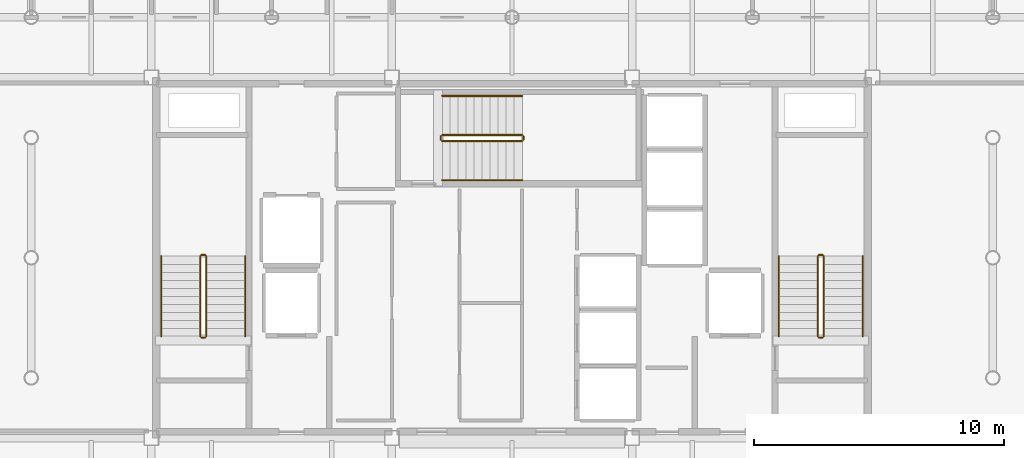
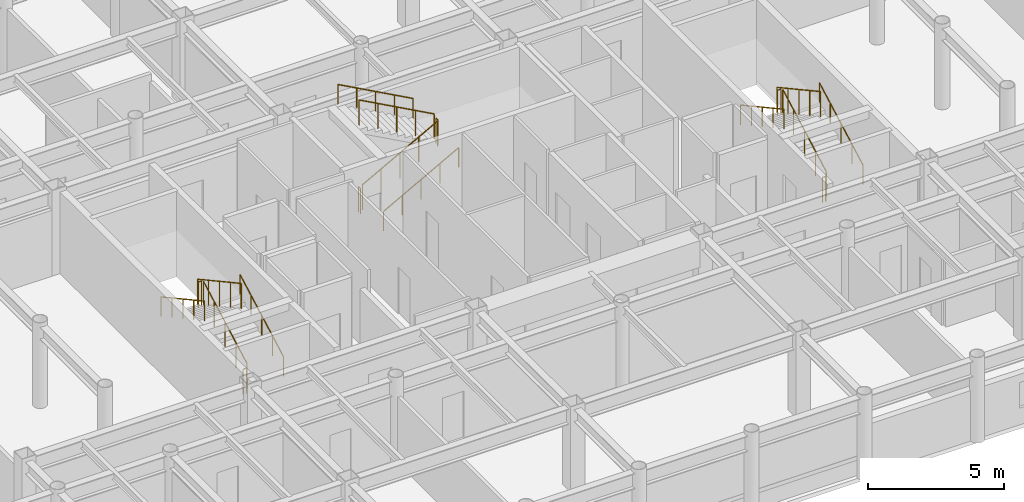
# One storey, part 22 of 22: 18 railings.
"""IFC4 building model written with IfcOpenShell, lengths in metres."""

from ifc_helpers import new_model, si_unit, direction, frame, origin, origin_2d, place, context, subcontext, project, spatial, circle, extrude, material, layer, layer_set, type_object, element, save


model = new_model("IFC4")

# Units and contexts
model_context = context("Model", 3, precision=1e-05, world=origin(), true_north=direction((0.0, 1.0)))
body_context = subcontext(model_context, "Body", "Model", "MODEL_VIEW")
ifc_project = project(units=[si_unit("LENGTHUNIT", "METRE"), si_unit("AREAUNIT", "SQUARE_METRE"), si_unit("VOLUMEUNIT", "CUBIC_METRE"), si_unit("PLANEANGLEUNIT", "RADIAN"), si_unit("MASSUNIT", "GRAM", prefix="KILO")], contexts=[model_context])

# Site, building, storey
site_placement = place(None, origin())
site = spatial("IfcSite", under=ifc_project, at=site_placement, CompositionType="ELEMENT")
building_placement = place(site_placement, origin())
building = spatial("IfcBuilding", under=site, at=building_placement, Name="Kallvorn Hotel Tower", CompositionType="ELEMENT")
storey_placement = place(building_placement, frame((0.0, 0.0, 230.0)))
storey = spatial("IfcBuildingStorey", under=building, at=storey_placement, Name="L57", CompositionType="ELEMENT", Elevation=230.0)

# Railings
ifc_material_1 = material(Name="Brushed stainless-steel tubular railing", Category="steel")
ifc_layer_1 = layer(ifc_material_1, 0.050048828125)
ifc_layer_set_1 = layer_set([ifc_layer_1], Name="RL_STAIR_GUARD")
railing_type_1 = type_object("IfcRailingType", Name="RL_STAIR_GUARD", PredefinedType="GUARDRAIL", material=ifc_layer_set_1)
railing_1_placement = place(storey_placement, frame((-12.2099609375, -3.139892578125, 0.175048828125)))
element("IfcRailing", 1, at=railing_1_placement, inside=storey, type_object=railing_type_1, Name="L57 ST1 stair guard 1", PredefinedType="GUARDRAIL", context=body_context, shape_type="SweptSolid", body=[
    extrude(circle(Radius=0.02392578125, at=origin_2d()), frame((0.0, 0.0, 1.1259765625), z_axis=(0.0, 0.877368057402, 0.479817977833), x_axis=(-1.0, 0.0, 0.0)), (0.0, 0.0, 1.0), 3.647216796875),
    extrude(circle(Radius=0.02099609375, at=origin_2d()), origin(), (0.0, 0.0, 1.0), 1.101806640625),
    extrude(circle(Radius=0.02099609375, at=origin_2d()), frame((0.0, 0.800048828125, 0.4375)), (0.0, 0.0, 1.0), 1.101806640625),
    extrude(circle(Radius=0.02099609375, at=origin_2d()), frame((0.0, 1.60009765625, 0.875)), (0.0, 0.0, 1.0), 1.101806640625),
    extrude(circle(Radius=0.02099609375, at=origin_2d()), frame((0.0, 2.39990234375, 1.3125)), (0.0, 0.0, 1.0), 1.101806640625),
    extrude(circle(Radius=0.02099609375, at=origin_2d()), frame((0.0, 3.199951171875, 1.75)), (0.0, 0.0, 1.0), 1.101806640625),
])
railing_2_placement = place(storey_placement, frame((-12.260009765625, 0.110107421875, 1.925048828125)))
element("IfcRailing", 2, at=railing_2_placement, inside=storey, type_object=railing_type_1, Name="L57 ST1 stair guard 2", PredefinedType="GUARDRAIL", context=body_context, shape_type="SweptSolid", body=[
    extrude(circle(Radius=0.02392578125, at=origin_2d()), frame((0.0, 0.0, 1.1259765625), z_axis=(-1.0, 0.0, 0.0), x_axis=(0.0, -1.0, 0.0)), (0.0, 0.0, 1.0), 0.139892578125),
    extrude(circle(Radius=0.02099609375, at=origin_2d()), origin(), (0.0, 0.0, 1.0), 1.101806640625),
    extrude(circle(Radius=0.02099609375, at=origin_2d()), frame((-0.139892578125, 0.0, 0.0)), (0.0, 0.0, 1.0), 1.101806640625),
])
railing_3_placement = place(storey_placement, frame((-12.449951171875, 0.06005859375, 2.10009765625)))
element("IfcRailing", 3, at=railing_3_placement, inside=storey, type_object=railing_type_1, Name="L57 ST1 stair guard 3", PredefinedType="GUARDRAIL", context=body_context, shape_type="SweptSolid", body=[
    extrude(circle(Radius=0.02392578125, at=origin_2d()), frame((0.0, 0.0, 1.1259765625), z_axis=(0.0, -0.877368057402, 0.479817977833), x_axis=(1.0, 0.0, 0.0)), (0.0, 0.0, 1.0), 3.647216796875),
    extrude(circle(Radius=0.02099609375, at=origin_2d()), origin(), (0.0, 0.0, 1.0), 1.101806640625),
    extrude(circle(Radius=0.02099609375, at=origin_2d()), frame((0.0, -0.800048828125, 0.4375)), (0.0, 0.0, 1.0), 1.101806640625),
    extrude(circle(Radius=0.02099609375, at=origin_2d()), frame((0.0, -1.60009765625, 0.875)), (0.0, 0.0, 1.0), 1.101806640625),
    extrude(circle(Radius=0.02099609375, at=origin_2d()), frame((0.0, -2.39990234375, 1.3125)), (0.0, 0.0, 1.0), 1.101806640625),
    extrude(circle(Radius=0.02099609375, at=origin_2d()), frame((0.0, -3.199951171875, 1.75)), (0.0, 0.0, 1.0), 1.101806640625),
])
railing_4_placement = place(storey_placement, frame((-12.260009765625, -3.18994140625, 0.0)))
element("IfcRailing", 4, at=railing_4_placement, inside=storey, type_object=railing_type_1, Name="L57 ST1 stair guard 4", PredefinedType="GUARDRAIL", context=body_context, shape_type="SweptSolid", body=[
    extrude(circle(Radius=0.02392578125, at=origin_2d()), frame((0.0, 0.0, 1.1259765625), z_axis=(-1.0, 0.0, 0.0), x_axis=(0.0, -1.0, 0.0)), (0.0, 0.0, 1.0), 0.139892578125),
    extrude(circle(Radius=0.02099609375, at=origin_2d()), origin(), (0.0, 0.0, 1.0), 1.101806640625),
    extrude(circle(Radius=0.02099609375, at=origin_2d()), frame((-0.139892578125, 0.0, 0.0)), (0.0, 0.0, 1.0), 1.101806640625),
])
railing_5_placement = place(storey_placement, frame((12.449951171875, -3.139892578125, 0.175048828125)))
element("IfcRailing", 5, at=railing_5_placement, inside=storey, type_object=railing_type_1, Name="L57 ST2 stair guard 1", PredefinedType="GUARDRAIL", context=body_context, shape_type="SweptSolid", body=[
    extrude(circle(Radius=0.02392578125, at=origin_2d()), frame((0.0, 0.0, 1.1259765625), z_axis=(0.0, 0.877368057402, 0.479817977833), x_axis=(-1.0, 0.0, 0.0)), (0.0, 0.0, 1.0), 3.647216796875),
    extrude(circle(Radius=0.02099609375, at=origin_2d()), origin(), (0.0, 0.0, 1.0), 1.101806640625),
    extrude(circle(Radius=0.02099609375, at=origin_2d()), frame((0.0, 0.800048828125, 0.4375)), (0.0, 0.0, 1.0), 1.101806640625),
    extrude(circle(Radius=0.02099609375, at=origin_2d()), frame((0.0, 1.60009765625, 0.875)), (0.0, 0.0, 1.0), 1.101806640625),
    extrude(circle(Radius=0.02099609375, at=origin_2d()), frame((0.0, 2.39990234375, 1.3125)), (0.0, 0.0, 1.0), 1.101806640625),
    extrude(circle(Radius=0.02099609375, at=origin_2d()), frame((0.0, 3.199951171875, 1.75)), (0.0, 0.0, 1.0), 1.101806640625),
])
railing_6_placement = place(storey_placement, frame((12.39990234375, 0.110107421875, 1.925048828125)))
element("IfcRailing", 6, at=railing_6_placement, inside=storey, type_object=railing_type_1, Name="L57 ST2 stair guard 2", PredefinedType="GUARDRAIL", context=body_context, shape_type="SweptSolid", body=[
    extrude(circle(Radius=0.02392578125, at=origin_2d()), frame((0.0, 0.0, 1.1259765625), z_axis=(-1.0, 0.0, 0.0), x_axis=(0.0, -1.0, 0.0)), (0.0, 0.0, 1.0), 0.139892578125),
    extrude(circle(Radius=0.02099609375, at=origin_2d()), origin(), (0.0, 0.0, 1.0), 1.101806640625),
    extrude(circle(Radius=0.02099609375, at=origin_2d()), frame((-0.139892578125, 0.0, 0.0)), (0.0, 0.0, 1.0), 1.101806640625),
])
railing_7_placement = place(storey_placement, frame((12.2099609375, 0.06005859375, 2.10009765625)))
element("IfcRailing", 7, at=railing_7_placement, inside=storey, type_object=railing_type_1, Name="L57 ST2 stair guard 3", PredefinedType="GUARDRAIL", context=body_context, shape_type="SweptSolid", body=[
    extrude(circle(Radius=0.02392578125, at=origin_2d()), frame((0.0, 0.0, 1.1259765625), z_axis=(0.0, -0.877368057402, 0.479817977833), x_axis=(1.0, 0.0, 0.0)), (0.0, 0.0, 1.0), 3.647216796875),
    extrude(circle(Radius=0.02099609375, at=origin_2d()), origin(), (0.0, 0.0, 1.0), 1.101806640625),
    extrude(circle(Radius=0.02099609375, at=origin_2d()), frame((0.0, -0.800048828125, 0.4375)), (0.0, 0.0, 1.0), 1.101806640625),
    extrude(circle(Radius=0.02099609375, at=origin_2d()), frame((0.0, -1.60009765625, 0.875)), (0.0, 0.0, 1.0), 1.101806640625),
    extrude(circle(Radius=0.02099609375, at=origin_2d()), frame((0.0, -2.39990234375, 1.3125)), (0.0, 0.0, 1.0), 1.101806640625),
    extrude(circle(Radius=0.02099609375, at=origin_2d()), frame((0.0, -3.199951171875, 1.75)), (0.0, 0.0, 1.0), 1.101806640625),
])
railing_8_placement = place(storey_placement, frame((12.39990234375, -3.18994140625, 0.0)))
element("IfcRailing", 8, at=railing_8_placement, inside=storey, type_object=railing_type_1, Name="L57 ST2 stair guard 4", PredefinedType="GUARDRAIL", context=body_context, shape_type="SweptSolid", body=[
    extrude(circle(Radius=0.02392578125, at=origin_2d()), frame((0.0, 0.0, 1.1259765625), z_axis=(-1.0, 0.0, 0.0), x_axis=(0.0, -1.0, 0.0)), (0.0, 0.0, 1.0), 0.139892578125),
    extrude(circle(Radius=0.02099609375, at=origin_2d()), origin(), (0.0, 0.0, 1.0), 1.101806640625),
    extrude(circle(Radius=0.02099609375, at=origin_2d()), frame((-0.139892578125, 0.0, 0.0)), (0.0, 0.0, 1.0), 1.101806640625),
])
railing_9_placement = place(storey_placement, frame((-2.7900390625, 4.659912109375, 0.175048828125)))
element("IfcRailing", 9, at=railing_9_placement, inside=storey, type_object=railing_type_1, Name="L57 ST3 stair guard 1", PredefinedType="GUARDRAIL", context=body_context, shape_type="SweptSolid", body=[
    extrude(circle(Radius=0.02392578125, at=origin_2d()), frame((0.0, 0.0, 1.1259765625), z_axis=(0.877368057402, 0.0, 0.479817977833), x_axis=(0.0, 1.0, 0.0)), (0.0, 0.0, 1.0), 3.647216796875),
    extrude(circle(Radius=0.02099609375, at=origin_2d()), origin(), (0.0, 0.0, 1.0), 1.101806640625),
    extrude(circle(Radius=0.02099609375, at=origin_2d()), frame((0.800048828125, 0.0, 0.4375)), (0.0, 0.0, 1.0), 1.101806640625),
    extrude(circle(Radius=0.02099609375, at=origin_2d()), frame((1.60009765625, 0.0, 0.875)), (0.0, 0.0, 1.0), 1.101806640625),
    extrude(circle(Radius=0.02099609375, at=origin_2d()), frame((2.39990234375, 0.0, 1.3125)), (0.0, 0.0, 1.0), 1.101806640625),
    extrude(circle(Radius=0.02099609375, at=origin_2d()), frame((3.199951171875, 0.0, 1.75)), (0.0, 0.0, 1.0), 1.101806640625),
])
railing_10_placement = place(storey_placement, frame((0.4599609375, 4.7099609375, 1.925048828125)))
element("IfcRailing", 10, at=railing_10_placement, inside=storey, type_object=railing_type_1, Name="L57 ST3 stair guard 2", PredefinedType="GUARDRAIL", context=body_context, shape_type="SweptSolid", body=[
    extrude(circle(Radius=0.02392578125, at=origin_2d()), frame((0.0, 0.0, 1.1259765625), z_axis=(0.0, 1.0, 0.0), x_axis=(-1.0, 0.0, 0.0)), (0.0, 0.0, 1.0), 0.14013671875),
    extrude(circle(Radius=0.02099609375, at=origin_2d()), origin(), (0.0, 0.0, 1.0), 1.101806640625),
    extrude(circle(Radius=0.02099609375, at=origin_2d()), frame((0.0, 0.14013671875, 0.0)), (0.0, 0.0, 1.0), 1.101806640625),
])
railing_11_placement = place(storey_placement, frame((0.409912109375, 4.89990234375, 2.10009765625)))
element("IfcRailing", 11, at=railing_11_placement, inside=storey, type_object=railing_type_1, Name="L57 ST3 stair guard 3", PredefinedType="GUARDRAIL", context=body_context, shape_type="SweptSolid", body=[
    extrude(circle(Radius=0.02392578125, at=origin_2d()), frame((0.0, 0.0, 1.1259765625), z_axis=(-0.877368057402, 0.0, 0.479817977833), x_axis=(0.0, -1.0, 0.0)), (0.0, 0.0, 1.0), 3.647216796875),
    extrude(circle(Radius=0.02099609375, at=origin_2d()), origin(), (0.0, 0.0, 1.0), 1.101806640625),
    extrude(circle(Radius=0.02099609375, at=origin_2d()), frame((-0.800048828125, 0.0, 0.4375)), (0.0, 0.0, 1.0), 1.101806640625),
    extrude(circle(Radius=0.02099609375, at=origin_2d()), frame((-1.60009765625, 0.0, 0.875)), (0.0, 0.0, 1.0), 1.101806640625),
    extrude(circle(Radius=0.02099609375, at=origin_2d()), frame((-2.39990234375, 0.0, 1.3125)), (0.0, 0.0, 1.0), 1.101806640625),
    extrude(circle(Radius=0.02099609375, at=origin_2d()), frame((-3.199951171875, 0.0, 1.75)), (0.0, 0.0, 1.0), 1.101806640625),
])
railing_12_placement = place(storey_placement, frame((-2.840087890625, 4.7099609375, 0.0)))
element("IfcRailing", 12, at=railing_12_placement, inside=storey, type_object=railing_type_1, Name="L57 ST3 stair guard 4", PredefinedType="GUARDRAIL", context=body_context, shape_type="SweptSolid", body=[
    extrude(circle(Radius=0.02392578125, at=origin_2d()), frame((0.0, 0.0, 1.1259765625), z_axis=(0.0, 1.0, 0.0), x_axis=(-1.0, 0.0, 0.0)), (0.0, 0.0, 1.0), 0.14013671875),
    extrude(circle(Radius=0.02099609375, at=origin_2d()), origin(), (0.0, 0.0, 1.0), 1.101806640625),
    extrude(circle(Radius=0.02099609375, at=origin_2d()), frame((0.0, 0.14013671875, 0.0)), (0.0, 0.0, 1.0), 1.101806640625),
])
ifc_material_2 = material(Name="Brushed stainless-steel tubular railing", Category="steel")
ifc_layer_2 = layer(ifc_material_2, 0.050048828125)
ifc_layer_set_2 = layer_set([ifc_layer_2], Name="RL_STAIR_HAND")
railing_type_2 = type_object("IfcRailingType", Name="RL_STAIR_HAND", PredefinedType="HANDRAIL", material=ifc_layer_set_2)
railing_13_placement = place(storey_placement, frame((-10.64990234375, -3.139892578125, 0.175048828125)))
element("IfcRailing", 13, at=railing_13_placement, inside=storey, type_object=railing_type_2, Name="L57 ST1 stair handrail 1", PredefinedType="HANDRAIL", context=body_context, shape_type="SweptSolid", body=[
    extrude(circle(Radius=0.02392578125, at=origin_2d()), frame((0.0, 0.0, 0.8759765625), z_axis=(0.0, 0.877368057402, 0.479817977833), x_axis=(-1.0, 0.0, 0.0)), (0.0, 0.0, 1.0), 3.647216796875),
    extrude(circle(Radius=0.02099609375, at=origin_2d()), origin(), (0.0, 0.0, 1.0), 0.851806640625),
    extrude(circle(Radius=0.02099609375, at=origin_2d()), frame((0.0, 0.800048828125, 0.4375)), (0.0, 0.0, 1.0), 0.851806640625),
    extrude(circle(Radius=0.02099609375, at=origin_2d()), frame((0.0, 1.60009765625, 0.875)), (0.0, 0.0, 1.0), 0.851806640625),
    extrude(circle(Radius=0.02099609375, at=origin_2d()), frame((0.0, 2.39990234375, 1.3125)), (0.0, 0.0, 1.0), 0.851806640625),
    extrude(circle(Radius=0.02099609375, at=origin_2d()), frame((0.0, 3.199951171875, 1.75)), (0.0, 0.0, 1.0), 0.851806640625),
])
railing_14_placement = place(storey_placement, frame((-14.010009765625, 0.06005859375, 2.10009765625)))
element("IfcRailing", 14, at=railing_14_placement, inside=storey, type_object=railing_type_2, Name="L57 ST1 stair handrail 2", PredefinedType="HANDRAIL", context=body_context, shape_type="SweptSolid", body=[
    extrude(circle(Radius=0.02392578125, at=origin_2d()), frame((0.0, 0.0, 0.8759765625), z_axis=(0.0, -0.877368057402, 0.479817977833), x_axis=(1.0, 0.0, 0.0)), (0.0, 0.0, 1.0), 3.647216796875),
    extrude(circle(Radius=0.02099609375, at=origin_2d()), origin(), (0.0, 0.0, 1.0), 0.851806640625),
    extrude(circle(Radius=0.02099609375, at=origin_2d()), frame((0.0, -0.800048828125, 0.4375)), (0.0, 0.0, 1.0), 0.851806640625),
    extrude(circle(Radius=0.02099609375, at=origin_2d()), frame((0.0, -1.60009765625, 0.875)), (0.0, 0.0, 1.0), 0.851806640625),
    extrude(circle(Radius=0.02099609375, at=origin_2d()), frame((0.0, -2.39990234375, 1.3125)), (0.0, 0.0, 1.0), 0.851806640625),
    extrude(circle(Radius=0.02099609375, at=origin_2d()), frame((0.0, -3.199951171875, 1.75)), (0.0, 0.0, 1.0), 0.851806640625),
])
railing_15_placement = place(storey_placement, frame((14.010009765625, -3.139892578125, 0.175048828125)))
element("IfcRailing", 15, at=railing_15_placement, inside=storey, type_object=railing_type_2, Name="L57 ST2 stair handrail 1", PredefinedType="HANDRAIL", context=body_context, shape_type="SweptSolid", body=[
    extrude(circle(Radius=0.02392578125, at=origin_2d()), frame((0.0, 0.0, 0.8759765625), z_axis=(0.0, 0.877368057402, 0.479817977833), x_axis=(-1.0, 0.0, 0.0)), (0.0, 0.0, 1.0), 3.647216796875),
    extrude(circle(Radius=0.02099609375, at=origin_2d()), origin(), (0.0, 0.0, 1.0), 0.851806640625),
    extrude(circle(Radius=0.02099609375, at=origin_2d()), frame((0.0, 0.800048828125, 0.4375)), (0.0, 0.0, 1.0), 0.851806640625),
    extrude(circle(Radius=0.02099609375, at=origin_2d()), frame((0.0, 1.60009765625, 0.875)), (0.0, 0.0, 1.0), 0.851806640625),
    extrude(circle(Radius=0.02099609375, at=origin_2d()), frame((0.0, 2.39990234375, 1.3125)), (0.0, 0.0, 1.0), 0.851806640625),
    extrude(circle(Radius=0.02099609375, at=origin_2d()), frame((0.0, 3.199951171875, 1.75)), (0.0, 0.0, 1.0), 0.851806640625),
])
railing_16_placement = place(storey_placement, frame((10.64990234375, 0.06005859375, 2.10009765625)))
element("IfcRailing", 16, at=railing_16_placement, inside=storey, type_object=railing_type_2, Name="L57 ST2 stair handrail 2", PredefinedType="HANDRAIL", context=body_context, shape_type="SweptSolid", body=[
    extrude(circle(Radius=0.02392578125, at=origin_2d()), frame((0.0, 0.0, 0.8759765625), z_axis=(0.0, -0.877368057402, 0.479817977833), x_axis=(1.0, 0.0, 0.0)), (0.0, 0.0, 1.0), 3.647216796875),
    extrude(circle(Radius=0.02099609375, at=origin_2d()), origin(), (0.0, 0.0, 1.0), 0.851806640625),
    extrude(circle(Radius=0.02099609375, at=origin_2d()), frame((0.0, -0.800048828125, 0.4375)), (0.0, 0.0, 1.0), 0.851806640625),
    extrude(circle(Radius=0.02099609375, at=origin_2d()), frame((0.0, -1.60009765625, 0.875)), (0.0, 0.0, 1.0), 0.851806640625),
    extrude(circle(Radius=0.02099609375, at=origin_2d()), frame((0.0, -2.39990234375, 1.3125)), (0.0, 0.0, 1.0), 0.851806640625),
    extrude(circle(Radius=0.02099609375, at=origin_2d()), frame((0.0, -3.199951171875, 1.75)), (0.0, 0.0, 1.0), 0.851806640625),
])
railing_17_placement = place(storey_placement, frame((-2.7900390625, 3.10009765625, 0.175048828125)))
element("IfcRailing", 17, at=railing_17_placement, inside=storey, type_object=railing_type_2, Name="L57 ST3 stair handrail 1", PredefinedType="HANDRAIL", context=body_context, shape_type="SweptSolid", body=[
    extrude(circle(Radius=0.02392578125, at=origin_2d()), frame((0.0, 0.0, 0.8759765625), z_axis=(0.877368057402, 0.0, 0.479817977833), x_axis=(0.0, 1.0, 0.0)), (0.0, 0.0, 1.0), 3.647216796875),
    extrude(circle(Radius=0.02099609375, at=origin_2d()), origin(), (0.0, 0.0, 1.0), 0.851806640625),
    extrude(circle(Radius=0.02099609375, at=origin_2d()), frame((0.800048828125, 0.0, 0.4375)), (0.0, 0.0, 1.0), 0.851806640625),
    extrude(circle(Radius=0.02099609375, at=origin_2d()), frame((1.60009765625, 0.0, 0.875)), (0.0, 0.0, 1.0), 0.851806640625),
    extrude(circle(Radius=0.02099609375, at=origin_2d()), frame((2.39990234375, 0.0, 1.3125)), (0.0, 0.0, 1.0), 0.851806640625),
    extrude(circle(Radius=0.02099609375, at=origin_2d()), frame((3.199951171875, 0.0, 1.75)), (0.0, 0.0, 1.0), 0.851806640625),
])
railing_18_placement = place(storey_placement, frame((0.409912109375, 6.4599609375, 2.10009765625)))
element("IfcRailing", 18, at=railing_18_placement, inside=storey, type_object=railing_type_2, Name="L57 ST3 stair handrail 2", PredefinedType="HANDRAIL", context=body_context, shape_type="SweptSolid", body=[
    extrude(circle(Radius=0.02392578125, at=origin_2d()), frame((0.0, 0.0, 0.8759765625), z_axis=(-0.877368057402, 0.0, 0.479817977833), x_axis=(0.0, -1.0, 0.0)), (0.0, 0.0, 1.0), 3.647216796875),
    extrude(circle(Radius=0.02099609375, at=origin_2d()), origin(), (0.0, 0.0, 1.0), 0.851806640625),
    extrude(circle(Radius=0.02099609375, at=origin_2d()), frame((-0.800048828125, 0.0, 0.4375)), (0.0, 0.0, 1.0), 0.851806640625),
    extrude(circle(Radius=0.02099609375, at=origin_2d()), frame((-1.60009765625, 0.0, 0.875)), (0.0, 0.0, 1.0), 0.851806640625),
    extrude(circle(Radius=0.02099609375, at=origin_2d()), frame((-2.39990234375, 0.0, 1.3125)), (0.0, 0.0, 1.0), 0.851806640625),
    extrude(circle(Radius=0.02099609375, at=origin_2d()), frame((-3.199951171875, 0.0, 1.75)), (0.0, 0.0, 1.0), 0.851806640625),
])

save(model, "model.ifc")
